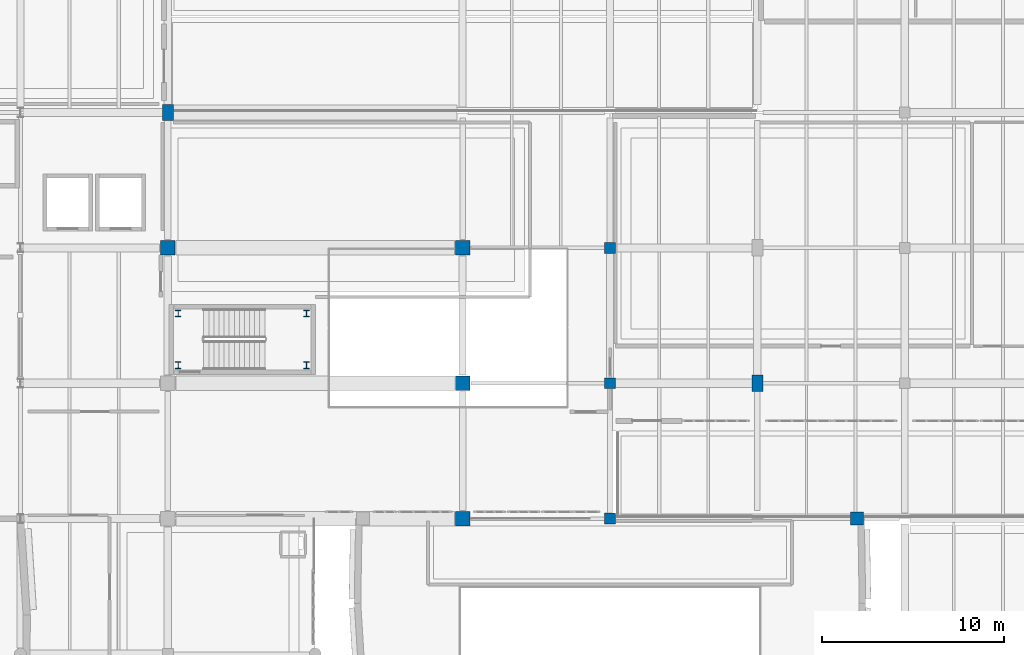
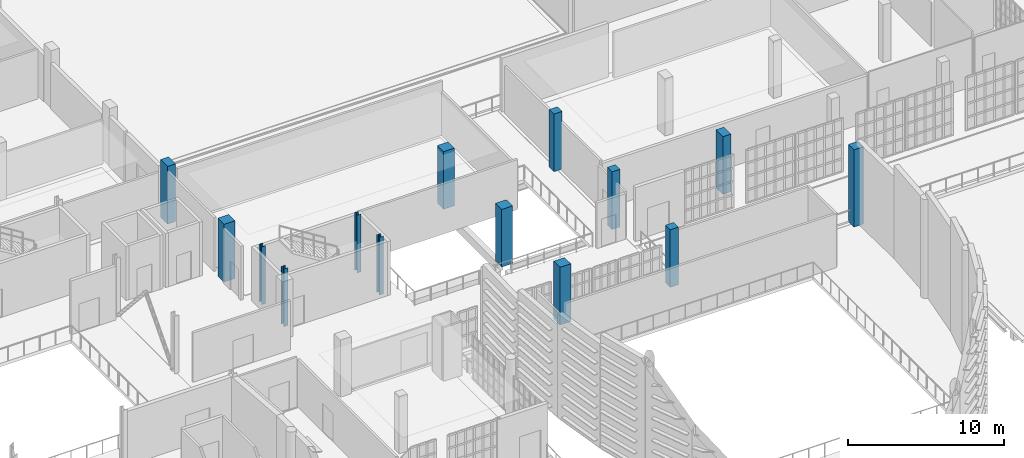
# One storey, part 4 of 73: 14 columns.
"""IFC4 building model written with IfcOpenShell, lengths in metres."""

import ifcopenshell
import ifcopenshell.guid

model = None  # the IFC model being written
_history = None  # IfcOwnerHistory: only IFC2X3 demands one
_inside = {}  # id of a spatial element -> (the spatial element, [elements in it])
_under = {}  # id of a project, library or spatial element -> (it, [spatial elements below it])
_declared = {}  # id of a project -> (the project, [libraries it declares])
_typed = {}  # id of a type object -> (the type object, [elements of that type])
_made_of = {}  # id of a material, layer set ... -> (it, [elements and type objects made of it])


def new_model(schema):
    """Start an empty IFC model of exactly this schema.

    Asked for "IFC4X3", IfcOpenShell would pick the latest addendum, in which some entities
    have other attributes; the version numbers below select the first issue.
    IFC2X3 requires an IfcOwnerHistory on every rooted entity: one is made here for all.
    """
    global model, _history
    if schema == "IFC4X3":
        model = ifcopenshell.file(schema_version=(4, 3, 0, 0))
    else:
        model = ifcopenshell.file(schema=schema)
    _inside.clear()
    _under.clear()
    _declared.clear()
    _typed.clear()
    _made_of.clear()
    _history = None
    if model.schema == "IFC2X3":
        org = make("IfcOrganization", Name="unknown")
        user = make(
            "IfcPersonAndOrganization",
            ThePerson=make("IfcPerson", FamilyName="unknown"),
            TheOrganization=org,
        )
        app = make(
            "IfcApplication",
            ApplicationDeveloper=org,
            Version="unknown",
            ApplicationFullName="unknown",
            ApplicationIdentifier="unknown",
        )
        _history = make(
            "IfcOwnerHistory",
            OwningUser=user,
            OwningApplication=app,
            ChangeAction="ADDED",
            CreationDate=0,
        )
    return model


def make(cls, **values):
    """One entity of the class cls with the attributes given. An attribute that is None is left unset."""
    return model.create_entity(
        cls, **{name: value for name, value in values.items() if value is not None}
    )


def rooted(cls, **values):
    """An entity with a GlobalId (a new one), such as an element, a storey or a relation."""
    return make(cls, GlobalId=ifcopenshell.guid.new(), OwnerHistory=_history, **values)


def si_unit(unit_type, name, prefix=None):
    """IfcSIUnit, for example si_unit("LENGTHUNIT", "METRE", prefix="MILLI")."""
    return make("IfcSIUnit", UnitType=unit_type, Prefix=prefix, Name=name)


def assignment(units):
    """IfcUnitAssignment: the units of a project."""
    return None if units is None else make("IfcUnitAssignment", Units=units)


def point(xyz):
    """IfcCartesianPoint."""
    return None if xyz is None else make("IfcCartesianPoint", Coordinates=xyz)


def direction(xyz):
    """IfcDirection."""
    return None if xyz is None else make("IfcDirection", DirectionRatios=xyz)


def frame(location, z_axis=None, x_axis=None):
    """IfcAxis2Placement3D, a coordinate frame: its origin and axes. An axis left out is left unset."""
    return make(
        "IfcAxis2Placement3D",
        Location=point(location),
        Axis=direction(z_axis),
        RefDirection=direction(x_axis),
    )


def frame_2d(location, x_axis=None):
    """IfcAxis2Placement2D, a coordinate frame in the plane: its origin and x axis."""
    return make(
        "IfcAxis2Placement2D", Location=point(location), RefDirection=direction(x_axis)
    )


def origin():
    """The frame at (0, 0, 0) with its axes left unset."""
    return frame((0.0, 0.0, 0.0))


def origin_2d():
    """The frame at (0, 0) in the plane with its x axis left unset."""
    return frame_2d((0.0, 0.0))


def place(relative_to, where):
    """IfcLocalPlacement: puts the frame where relative to a parent placement (None: the world)."""
    return make(
        "IfcLocalPlacement", PlacementRelTo=relative_to, RelativePlacement=where
    )


def context(
    kind, dimensions, precision=None, world=None, true_north=None, identifier=None
):
    """IfcGeometricRepresentationContext, for example the 3D "Model" context."""
    return make(
        "IfcGeometricRepresentationContext",
        ContextIdentifier=identifier,
        ContextType=kind,
        CoordinateSpaceDimension=dimensions,
        Precision=precision,
        WorldCoordinateSystem=world,
        TrueNorth=true_north,
    )


def subcontext(parent, identifier, kind, view, scale=None):
    """IfcGeometricRepresentationSubContext, for example "Body" below "Model"."""
    return make(
        "IfcGeometricRepresentationSubContext",
        ContextIdentifier=identifier,
        ContextType=kind,
        ParentContext=parent,
        TargetScale=scale,
        TargetView=view,
    )


def project(units=None, contexts=None):
    """IfcProject with its units and contexts."""
    return rooted(
        "IfcProject",
        Name="project",
        RepresentationContexts=contexts,
        UnitsInContext=assignment(units),
    )


def spatial(cls, under=None, at=None, **own):
    """A site, building, storey or space (cls), placed at a placement, below another one or the project."""
    s = rooted(cls, ObjectPlacement=at, **own)
    if under is not None:
        _under.setdefault(under.id(), (under, []))[1].append(s)
    return s


def profile(cls, at=None, kind="AREA", **sizes):
    """A parametric profile (cls). Its sizes go by their IFC names, for example OverallWidth=200.0."""
    return make(cls, ProfileType=kind, Position=at, **sizes)


def rectangle(**sizes):
    """IfcRectangleProfileDef."""
    return profile("IfcRectangleProfileDef", **sizes)


def i_section(**sizes):
    """IfcIShapeProfileDef."""
    return profile("IfcIShapeProfileDef", **sizes)


def extrude(swept, where, along, depth):
    """IfcExtrudedAreaSolid: the profile swept, set in the frame where, extruded along a direction by depth."""
    return make(
        "IfcExtrudedAreaSolid",
        SweptArea=swept,
        Position=where,
        ExtrudedDirection=direction(along),
        Depth=depth,
    )


def shape(context_of_items, identifier, shape_type, items):
    """IfcShapeRepresentation: the items that make up one representation, for example the "Body"."""
    return make(
        "IfcShapeRepresentation",
        ContextOfItems=context_of_items,
        RepresentationIdentifier=identifier,
        RepresentationType=shape_type,
        Items=items,
    )


def material(Name=None, Category=None):
    """IfcMaterial."""
    return make("IfcMaterial", Name=Name, Category=Category)


def material_profile(
    of_material, cross_section, Name=None, Category=None, Priority=None
):
    """IfcMaterialProfile: a cross section and its material."""
    return make(
        "IfcMaterialProfile",
        Name=Name,
        Material=of_material,
        Profile=cross_section,
        Priority=Priority,
        Category=Category,
    )


def profile_set(profiles, Name=None, composite=None):
    """IfcMaterialProfileSet."""
    return make(
        "IfcMaterialProfileSet",
        Name=Name,
        MaterialProfiles=profiles,
        CompositeProfile=composite,
    )


def made_of(thing, what):
    """Note that an element or type object is made of a material, layer set ...; save() writes the relation."""
    if what is not None:
        _made_of.setdefault(what.id(), (what, []))[1].append(thing)
    return thing


def type_object(cls, material=None, **own):
    """A type object (cls), such as IfcWallType, which elements share."""
    return made_of(rooted(cls, **own), material)


def element(
    cls,
    number,
    at=None,
    inside=None,
    cuts=None,
    type_object=None,
    material=None,
    context=None,
    identifier="Body",
    shape_type=None,
    held_by="IfcProductDefinitionShape",
    body=None,
    shapes=None,
    **own,
):
    """One element of the class cls, such as IfcWall. Its Tag is "e" and its number.

    at: its placement. inside: the storey or other place that contains it. cuts: it is an
    opening in that element (IfcRelVoidsElement). A single representation is given by context,
    identifier, shape_type and body (its items); several are given by shapes. held_by: the class
    of the entity that holds the representations. save() writes the other relations.
    """
    e = rooted(cls, Tag="e%d" % number, ObjectPlacement=at, **own)
    if body is not None:
        shapes = [shape(context, identifier, shape_type, body)]
    if shapes is not None:
        e.Representation = make(held_by, Representations=shapes)
    if inside is not None:
        _inside.setdefault(inside.id(), (inside, []))[1].append(e)
    if cuts is not None:
        rooted(
            "IfcRelVoidsElement", RelatingBuildingElement=cuts, RelatedOpeningElement=e
        )
    if type_object is not None:
        _typed.setdefault(type_object.id(), (type_object, []))[1].append(e)
    return made_of(e, material)


def aggregate(whole, parts):
    """IfcRelAggregates: a whole, such as a stair, and the parts it consists of."""
    return rooted("IfcRelAggregates", RelatingObject=whole, RelatedObjects=parts)


def save(model, path):
    """Write the relations noted so far, then the file.

    IfcRelAggregates (storeys below a building ...), IfcRelContainedInSpatialStructure (elements
    in a storey), IfcRelDefinesByType, IfcRelAssociatesMaterial and IfcRelDeclares: one each for
    every whole, place, type object, material and project.
    """
    for whole, parts in _under.values():
        aggregate(whole, parts)
    for where, things in _inside.values():
        rooted(
            "IfcRelContainedInSpatialStructure",
            RelatedElements=things,
            RelatingStructure=where,
        )
    for kind, things in _typed.values():
        rooted("IfcRelDefinesByType", RelatedObjects=things, RelatingType=kind)
    for what, things in _made_of.values():
        rooted("IfcRelAssociatesMaterial", RelatedObjects=things, RelatingMaterial=what)
    for by, libraries in _declared.values():
        rooted("IfcRelDeclares", RelatingContext=by, RelatedDefinitions=libraries)
    model.write(path)


model = new_model("IFC4")

# Units and contexts
model_context = context("Model", 3, precision=1e-05, world=origin(), true_north=direction((0.0, 1.0)))
body_context = subcontext(model_context, "Body", "Model", "MODEL_VIEW")
ifc_project = project(units=[si_unit("LENGTHUNIT", "METRE"), si_unit("AREAUNIT", "SQUARE_METRE"), si_unit("VOLUMEUNIT", "CUBIC_METRE"), si_unit("PLANEANGLEUNIT", "RADIAN"), si_unit("MASSUNIT", "GRAM", prefix="KILO")], contexts=[model_context])

# Site, building, storey
site_placement = place(None, origin())
site = spatial("IfcSite", under=ifc_project, at=site_placement, CompositionType="ELEMENT")
building_placement = place(site_placement, origin())
building = spatial("IfcBuilding", under=site, at=building_placement, Name="Kaelora Sail Theatre", CompositionType="ELEMENT")
storey_placement = place(building_placement, frame((0.0, 0.0, 10.199951171875)))
storey = spatial("IfcBuildingStorey", under=building, at=storey_placement, Name="L02", CompositionType="ELEMENT", Elevation=10.199951171875)

# Columns
ifc_material_1 = material(Name="Steel S355", Category="steel")
ifc_material_profile_1 = material_profile(ifc_material_1, i_section(OverallWidth=0.300048828125, OverallDepth=0.360107421875, WebThickness=0.012451171875, FlangeThickness=0.0224609375, FilletRadius=0.027099609375, at=origin_2d()), Name="HEB 360")
ifc_profile_set_1 = profile_set([ifc_material_profile_1], Name="Steel S355")
column_type_1 = type_object("IfcColumnType", Name="STR-COL-C-HEB360", PredefinedType="COLUMN", material=ifc_profile_set_1)
for number, where, z_axis, x_axis, name in (
    (1, (66.8701171875, 69.449951171875, 0.0), (0.0, 0.0, 1.0), (1.0, 0.0, 0.0), "Feature stair ST-F1 support column SW (L02)"),
    (2, (66.8701171875, 72.300048828125, 0.0), (0.0, 0.0, 1.0), (1.0, 0.0, 0.0), "Feature stair ST-F1 support column NW (L02)"),
    (3, (73.919921875, 69.449951171875, 0.0), (0.0, 0.0, 1.0), (1.0, 0.0, 0.0), "Feature stair ST-F1 support column SE (L02)"),
    (4, (73.919921875, 72.300048828125, 0.0), (0.0, 0.0, 1.0), (1.0, 0.0, 0.0), "Feature stair ST-F1 support column NE (L02)"),
):
    element("IfcColumn", number, at=place(storey_placement, frame(where, z_axis=z_axis, x_axis=x_axis)), inside=storey, type_object=column_type_1, Name=name, PredefinedType="COLUMN", context=body_context, shape_type="SweptSolid", body=[
        extrude(i_section(OverallWidth=0.300048828125, OverallDepth=0.360107421875, WebThickness=0.012451171875, FlangeThickness=0.0224609375, FilletRadius=0.027099609375, at=origin_2d()), origin(), (0.0, 0.0, 1.0), 4.5),
    ])
ifc_material_2 = material(Name="Concrete C40/50", Category="concrete")
ifc_material_profile_2 = material_profile(ifc_material_2, rectangle(XDim=0.60009765625, YDim=0.60009765625, at=origin_2d()), Name="RC-COL 600x600")
ifc_profile_set_2 = profile_set([ifc_material_profile_2], Name="Concrete C40/50")
column_type_2 = type_object("IfcColumnType", Name="STR-COL-C-RC600", PredefinedType="COLUMN", material=ifc_profile_set_2)
for number, where, z_axis, x_axis, name in (
    (5, (90.60009765625, 61.02001953125, 0.0), (0.0, 0.0, 1.0), (1.0, 0.0, 0.0), "Column 12/I (L02)"),
    (6, (90.60009765625, 68.4599609375, 0.0), (0.0, 0.0, 1.0), (1.0, 0.0, 0.0), "Column 12/J (L02)"),
    (7, (90.60009765625, 75.89990234375, 0.0), (0.0, 0.0, 1.0), (1.0, 0.0, 0.0), "Column 12/K (L02)"),
):
    element("IfcColumn", number, at=place(storey_placement, frame(where, z_axis=z_axis, x_axis=x_axis)), inside=storey, type_object=column_type_2, Name=name, PredefinedType="COLUMN", context=body_context, shape_type="SweptSolid", body=[
        extrude(rectangle(XDim=0.60009765625, YDim=0.60009765625, at=origin_2d()), origin(), (0.0, 0.0, 1.0), 4.5),
    ])
ifc_material_3 = material(Name="Concrete C45/55", Category="concrete")
ifc_material_profile_3 = material_profile(ifc_material_3, rectangle(XDim=0.60009765625, YDim=0.89990234375, at=origin_2d()), Name="RC-COL 600x900")
ifc_profile_set_3 = profile_set([ifc_material_profile_3], Name="Concrete C45/55")
column_type_3 = type_object("IfcColumnType", Name="STR-COL-C-RC6090", PredefinedType="COLUMN", material=ifc_profile_set_3)
for number, where, z_axis, x_axis, name in (
    (8, (66.300048828125, 83.340087890625, 0.0), (0.0, 0.0, 1.0), (1.0, 0.0, 0.0), "Column 9/L (L02)"),
    (9, (98.699951171875, 68.4599609375, 0.0), (0.0, 0.0, 1.0), (1.0, 0.0, 0.0), "Column 13/J (L02)"),
):
    element("IfcColumn", number, at=place(storey_placement, frame(where, z_axis=z_axis, x_axis=x_axis)), inside=storey, type_object=column_type_3, Name=name, PredefinedType="COLUMN", context=body_context, shape_type="SweptSolid", body=[
        extrude(rectangle(XDim=0.60009765625, YDim=0.89990234375, at=origin_2d()), origin(), (0.0, 0.0, 1.0), 4.5),
    ])
ifc_material_4 = material(Name="Concrete C45/55", Category="concrete")
ifc_material_profile_4 = material_profile(ifc_material_4, rectangle(XDim=0.699951171875, YDim=0.699951171875, at=origin_2d()), Name="RC-COL 700x700")
ifc_profile_set_4 = profile_set([ifc_material_profile_4], Name="Concrete C45/55")
column_type_4 = type_object("IfcColumnType", Name="STR-COL-C-RC700", PredefinedType="COLUMN", material=ifc_profile_set_4)
column_placement = place(storey_placement, frame((104.179931640625, 61.02001953125, 0.0), z_axis=(0.0, 0.0, 1.0), x_axis=(1.0, 0.0, 0.0)))
element("IfcColumn", 10, at=column_placement, inside=storey, type_object=column_type_4, Name="Studio Theatre north corner column NE (L02)", PredefinedType="COLUMN", context=body_context, shape_type="SweptSolid", body=[
    extrude(rectangle(XDim=0.699951171875, YDim=0.699951171875, at=origin_2d()), origin(), (0.0, 0.0, 1.0), 6.025146484375),
])
ifc_material_5 = material(Name="Concrete C50/60", Category="concrete")
ifc_material_profile_5 = material_profile(ifc_material_5, rectangle(XDim=0.800048828125, YDim=0.800048828125, at=origin_2d()), Name="RC-COL 800x800")
ifc_profile_set_5 = profile_set([ifc_material_profile_5], Name="Concrete C50/60")
column_type_5 = type_object("IfcColumnType", Name="STR-COL-C-RC800", PredefinedType="COLUMN", material=ifc_profile_set_5)
for number, where, z_axis, x_axis, name in (
    (11, (66.300048828125, 75.89990234375, 0.0), (0.0, 0.0, 1.0), (1.0, 0.0, 0.0), "Column 9/K (L02)"),
    (12, (82.5, 61.02001953125, 0.0), (0.0, 0.0, 1.0), (1.0, 0.0, 0.0), "Column 11/I (L02)"),
    (13, (82.5, 68.4599609375, 0.0), (0.0, 0.0, 1.0), (1.0, 0.0, 0.0), "Column 11/J (L02)"),
    (14, (82.5, 75.89990234375, 0.0), (0.0, 0.0, 1.0), (1.0, 0.0, 0.0), "Column 11/K (L02)"),
):
    element("IfcColumn", number, at=place(storey_placement, frame(where, z_axis=z_axis, x_axis=x_axis)), inside=storey, type_object=column_type_5, Name=name, PredefinedType="COLUMN", context=body_context, shape_type="SweptSolid", body=[
        extrude(rectangle(XDim=0.800048828125, YDim=0.800048828125, at=origin_2d()), origin(), (0.0, 0.0, 1.0), 4.5),
    ])

save(model, "model.ifc")
